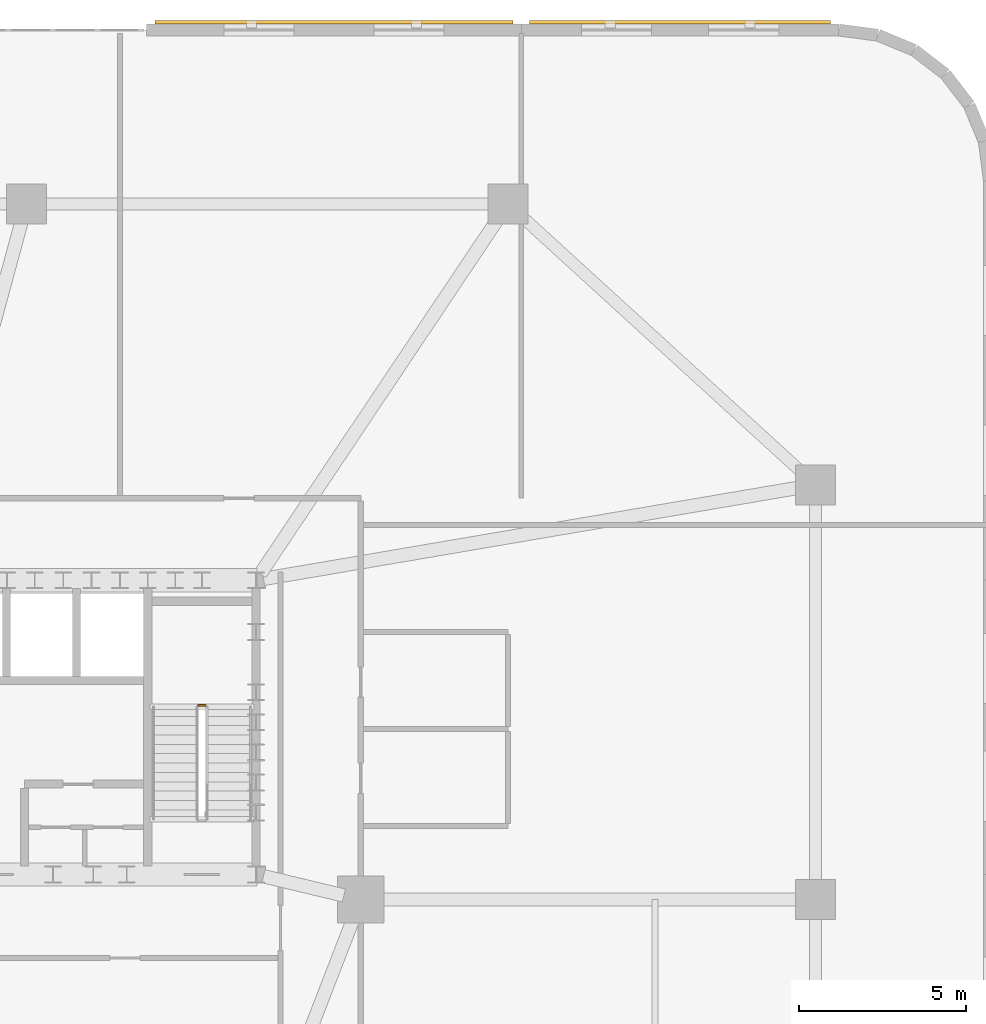
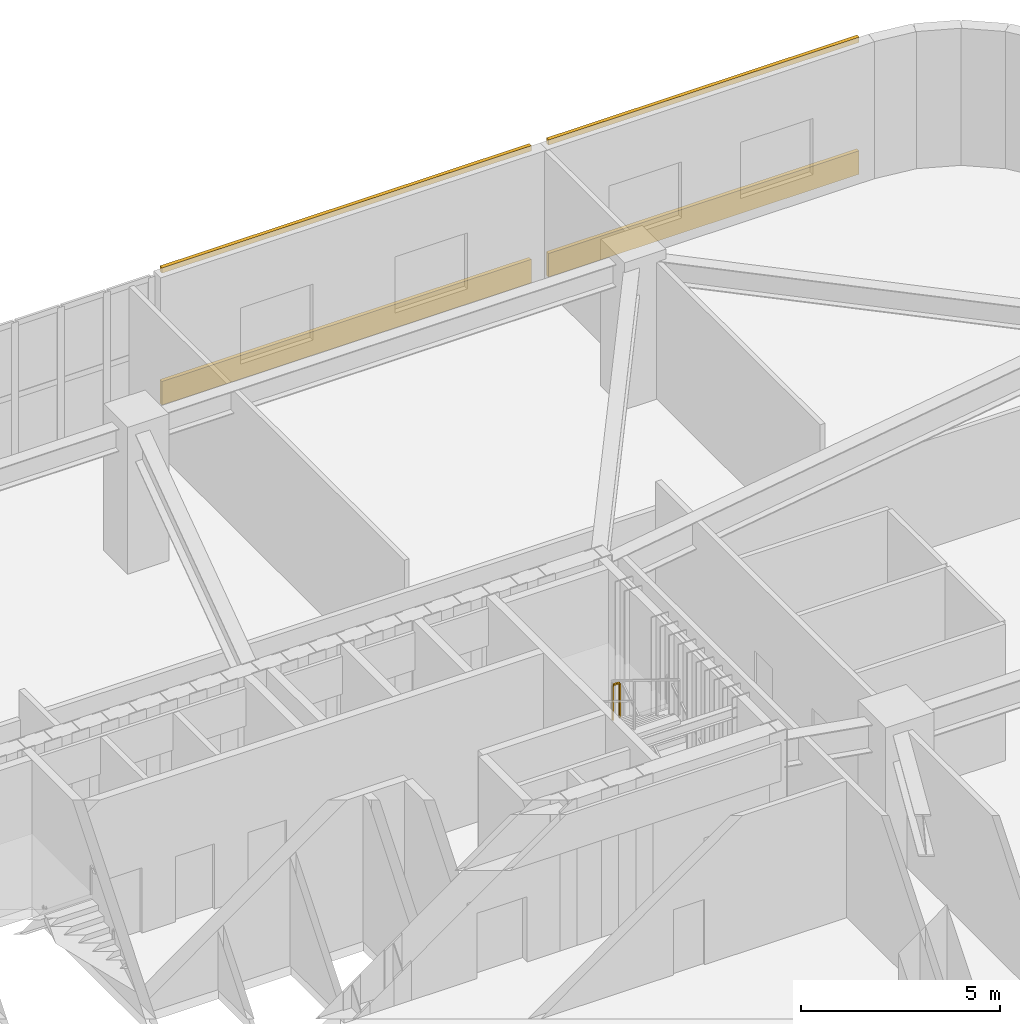
# One storey, part 24 of 25: 4 coverings, 1 railing.
"""IFC4 building model written with IfcOpenShell, lengths in metres."""

from ifc_helpers import new_model, si_unit, direction, frame, origin, origin_2d, place, context, subcontext, project, spatial, polyline, rectangle, outline, extrude, material, layer, layer_set, type_object, element, save


model = new_model("IFC4")

# Units and contexts
model_context = context("Model", 3, precision=1e-05, world=origin(), true_north=direction((0.0, 1.0)))
body_context = subcontext(model_context, "Body", "Model", "MODEL_VIEW")
ifc_project = project(units=[si_unit("LENGTHUNIT", "METRE"), si_unit("AREAUNIT", "SQUARE_METRE"), si_unit("VOLUMEUNIT", "CUBIC_METRE"), si_unit("PLANEANGLEUNIT", "RADIAN"), si_unit("MASSUNIT", "GRAM", prefix="KILO")], contexts=[model_context])

# Site, building, storey
site_placement = place(None, origin())
site = spatial("IfcSite", under=ifc_project, at=site_placement, CompositionType="ELEMENT")
building_placement = place(site_placement, origin())
building = spatial("IfcBuilding", under=site, at=building_placement, Name="Haldorwick Loom Tower", CompositionType="ELEMENT")
storey_placement = place(building_placement, frame((0.0, 0.0, 15.0)))
storey = spatial("IfcBuildingStorey", under=building, at=storey_placement, Name="L03", CompositionType="ELEMENT", Elevation=15.0)

# Coverings
ifc_material_1 = material(Name="Corbelled Pressed Clay Face Brick Veneer", Category="masonry")
ifc_layer = layer(ifc_material_1, 0.110107421875, Name="Corbelled Pressed Clay Face Brick Veneer", Category="masonry")
ifc_layer_set = layer_set([ifc_layer], Name="Corbelled Pressed Clay Face Brick Veneer")
covering_type = type_object("IfcCoveringType", Name="ARC-COV-BRICK110", PredefinedType="CLADDING", material=ifc_layer_set)
covering_1_placement = place(storey_placement, origin())
element("IfcCovering", 1, at=covering_1_placement, inside=storey, type_object=covering_type, Name="L03 Sill Face-Brick Spandrel 17", PredefinedType="CLADDING", context=body_context, shape_type="SweptSolid", body=[
    extrude(outline(polyline([(67.25, 52.2900390625), (58.25, 52.2900390625), (58.25, 52.179931640625), (67.25, 52.179931640625), (67.25, 52.2900390625)])), origin(), (0.0, 0.0, 1.0), 0.719970703125),
])
covering_2_placement = place(storey_placement, frame((0.0, 0.0, 4.0400390625)))
element("IfcCovering", 2, at=covering_2_placement, inside=storey, type_object=covering_type, Name="L03 Head Face-Brick Lintel Band 17", PredefinedType="CLADDING", context=body_context, shape_type="SweptSolid", body=[
    extrude(outline(polyline([(67.25, 52.2900390625), (58.25, 52.2900390625), (58.25, 52.179931640625), (67.25, 52.179931640625), (67.25, 52.2900390625)])), origin(), (0.0, 0.0, 1.0), 0.159912109375),
])
covering_3_placement = place(storey_placement, origin())
element("IfcCovering", 3, at=covering_3_placement, inside=storey, type_object=covering_type, Name="L03 Sill Face-Brick Spandrel 18", PredefinedType="CLADDING", context=body_context, shape_type="SweptSolid", body=[
    extrude(outline(polyline([(57.75, 52.2900390625), (47.050048828125, 52.2900390625), (47.050048828125, 52.179931640625), (57.75, 52.179931640625), (57.75, 52.2900390625)])), origin(), (0.0, 0.0, 1.0), 0.719970703125),
])
covering_4_placement = place(storey_placement, frame((0.0, 0.0, 4.0400390625)))
element("IfcCovering", 4, at=covering_4_placement, inside=storey, type_object=covering_type, Name="L03 Head Face-Brick Lintel Band 18", PredefinedType="CLADDING", context=body_context, shape_type="SweptSolid", body=[
    extrude(outline(polyline([(57.75, 52.2900390625), (47.050048828125, 52.2900390625), (47.050048828125, 52.179931640625), (57.75, 52.179931640625), (57.75, 52.2900390625)])), origin(), (0.0, 0.0, 1.0), 0.159912109375),
])

# Railing
ifc_material_2 = material(Name="Steel CSA G40.21 350W", Category="steel")
railing_type = type_object("IfcRailingType", Name="ARC-RLG-GUARD112", PredefinedType="GUARDRAIL", material=ifc_material_2)
railing_placement = place(storey_placement, frame((48.550048828125, 31.81005859375, 2.25)))
element("IfcRailing", 5, at=railing_placement, inside=storey, type_object=railing_type, Name="L03 ST-02 stair guard 2", PredefinedType="GUARDRAIL", context=body_context, shape_type="SweptSolid", body=[
    extrude(rectangle(XDim=0.048095703125, YDim=0.048095703125, at=origin_2d()), frame((0.0, 0.0, 1.076171875), z_axis=(-1.0, 0.0, 0.0), x_axis=(0.0, -1.0, 0.0)), (0.0, 0.0, 1.0), 0.199951171875),
    extrude(rectangle(XDim=0.0419921875, YDim=0.0419921875, at=origin_2d()), origin(), (0.0, 0.0, 1.0), 1.052001953125),
    extrude(rectangle(XDim=0.0419921875, YDim=0.0419921875, at=origin_2d()), frame((-0.199951171875, 0.0, 0.0)), (0.0, 0.0, 1.0), 1.052001953125),
])

save(model, "model.ifc")
